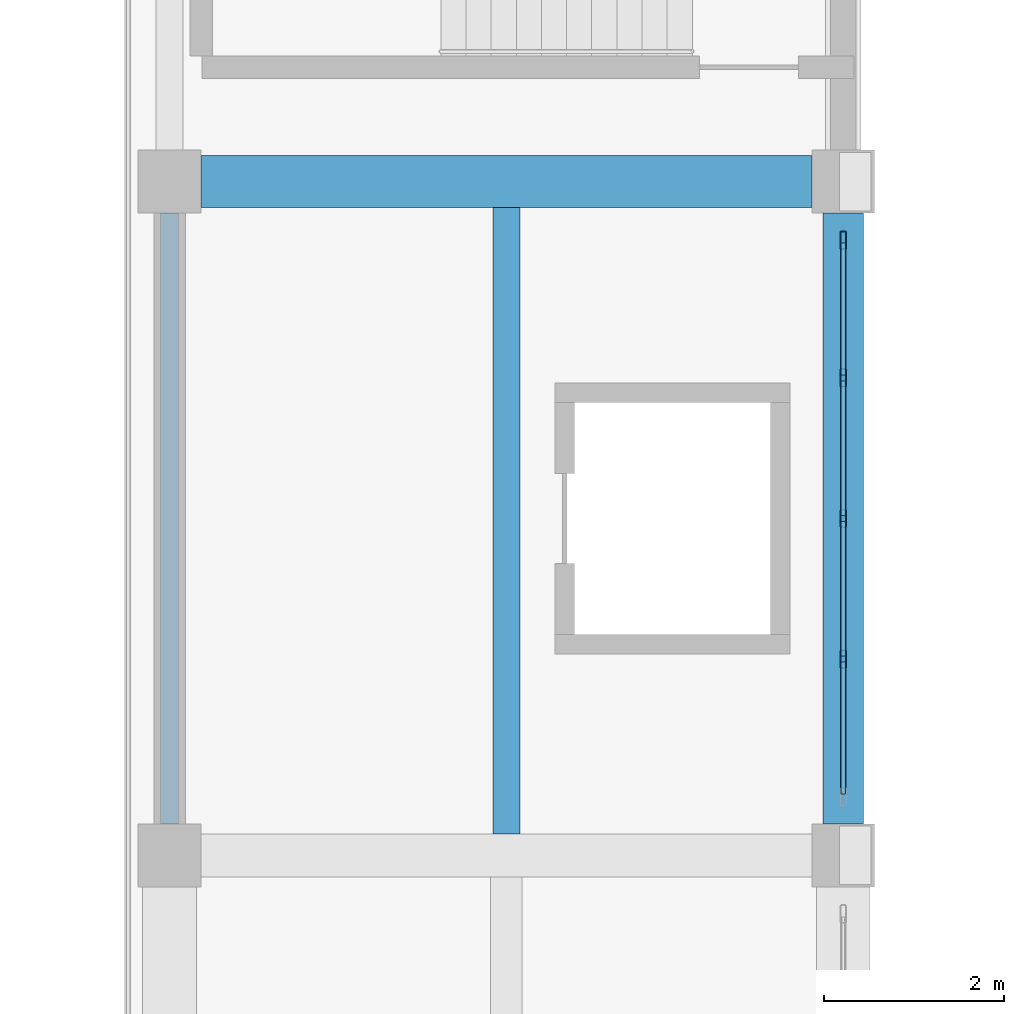
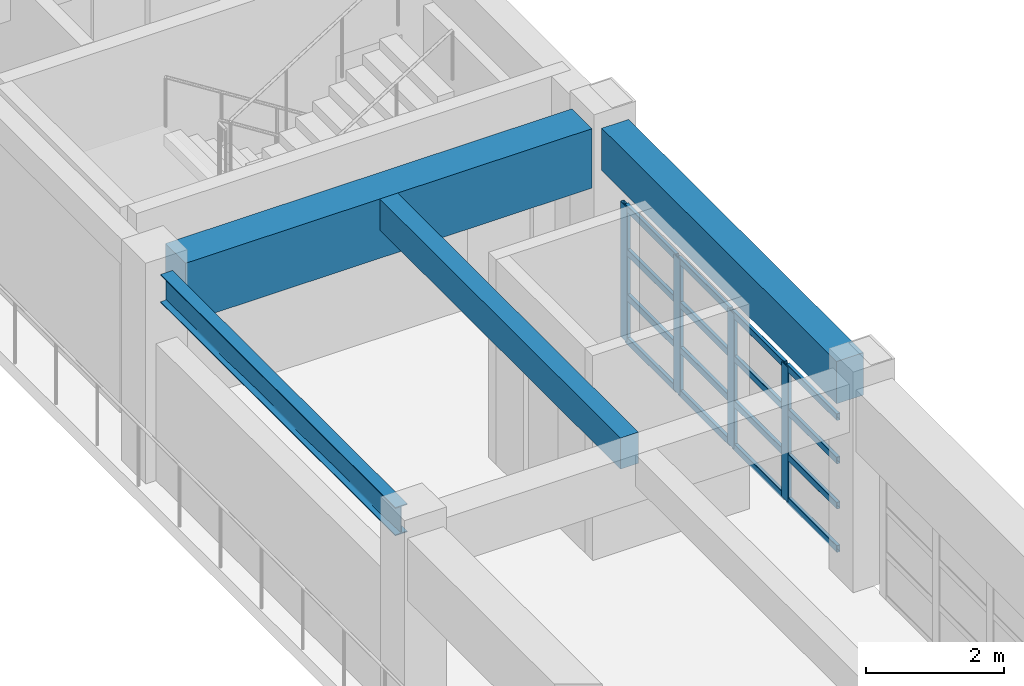
# One storey, part 33 of 82: 20 members, 4 beams, 1 element without a shape of its own.
"""IFC4 building model written with IfcOpenShell, lengths in metres."""

from ifc_helpers import new_model, si_unit, direction, frame, origin, origin_2d, place, context, subcontext, project, spatial, rectangle, hollow_rectangle, i_section, extrude, material, material_profile, profile_set, type_object, element, aggregate, save


model = new_model("IFC4")

# Units and contexts
model_context = context("Model", 3, precision=1e-05, world=origin(), true_north=direction((0.0, 1.0)))
body_context = subcontext(model_context, "Body", "Model", "MODEL_VIEW")
ifc_project = project(units=[si_unit("LENGTHUNIT", "METRE"), si_unit("AREAUNIT", "SQUARE_METRE"), si_unit("VOLUMEUNIT", "CUBIC_METRE"), si_unit("PLANEANGLEUNIT", "RADIAN"), si_unit("MASSUNIT", "GRAM", prefix="KILO")], contexts=[model_context])

# Site, building, storey
site_placement = place(None, origin())
site = spatial("IfcSite", under=ifc_project, at=site_placement, CompositionType="ELEMENT")
building_placement = place(site_placement, origin())
building = spatial("IfcBuilding", under=site, at=building_placement, Name="Qasida Concert Hall", CompositionType="ELEMENT")
storey_placement = place(building_placement, frame((0.0, 0.0, 17.10009765625)))
storey = spatial("IfcBuildingStorey", under=building, at=storey_placement, Name="L04", CompositionType="ELEMENT", Elevation=17.10009765625)

# Beams
ifc_material_1 = material(Name="Steel S355J2", Category="steel")
ifc_material_profile_1 = material_profile(ifc_material_1, i_section(OverallWidth=0.199951171875, OverallDepth=0.5, WebThickness=0.01025390625, FlangeThickness=0.01611328125, FilletRadius=0.02099609375, at=origin_2d()), Name="IPE 500")
ifc_profile_set_1 = profile_set([ifc_material_profile_1], Name="Steel S355J2")
beam_type_1 = type_object("IfcBeamType", Name="BM-B4", PredefinedType="BEAM", material=ifc_profile_set_1)
beam_1_placement = place(storey_placement, frame((97.5, 37.85009765625, 3.369873046875), z_axis=(0.0, 1.0, 0.0), x_axis=(-1.0, 0.0, 0.0)))
element("IfcBeam", 1, at=beam_1_placement, inside=storey, type_object=beam_type_1, Name="L04 girder 1857", PredefinedType="BEAM", context=body_context, shape_type="SweptSolid", body=[
    extrude(i_section(OverallWidth=0.199951171875, OverallDepth=0.5, WebThickness=0.01025390625, FlangeThickness=0.01611328125, FilletRadius=0.02099609375, at=origin_2d()), origin(), (0.0, 0.0, 1.0), 6.7998046875),
])
ifc_material_2 = material(Name="Concrete C50/60", Category="concrete")
ifc_material_profile_2 = material_profile(ifc_material_2, rectangle(XDim=0.580078125, YDim=1.050048828125, at=origin_2d()), Name="RC 580x1050")
ifc_profile_set_2 = profile_set([ifc_material_profile_2], Name="Concrete C50/60")
beam_type_2 = type_object("IfcBeamType", Name="BM-G8", PredefinedType="USERDEFINED", material=ifc_profile_set_2)
beam_2_placement = place(storey_placement, frame((97.85009765625, 45.0, 3.094970703125), z_axis=(1.0, 0.0, 0.0), x_axis=(0.0, 1.0, 0.0)))
element("IfcBeam", 2, at=beam_2_placement, inside=storey, type_object=beam_type_2, Name="Primary girder 1818", ObjectType="GIRDER", PredefinedType="USERDEFINED", context=body_context, shape_type="SweptSolid", body=[
    extrude(rectangle(XDim=0.580078125, YDim=1.050048828125, at=origin_2d()), origin(), (0.0, 0.0, 1.0), 6.7998046875),
])
ifc_material_3 = material(Name="Concrete C40/50", Category="concrete")
ifc_material_profile_3 = material_profile(ifc_material_3, rectangle(XDim=0.300048828125, YDim=0.550048828125, at=origin_2d()), Name="RC 300x550")
ifc_profile_set_3 = profile_set([ifc_material_profile_3], Name="Concrete C40/50")
beam_type_3 = type_object("IfcBeamType", Name="BM-J1", PredefinedType="JOIST", material=ifc_profile_set_3)
beam_3_placement = place(storey_placement, frame((101.25, 37.739990234375, 3.344970703125), z_axis=(0.0, 1.0, 0.0), x_axis=(-1.0, 0.0, 0.0)))
element("IfcBeam", 3, at=beam_3_placement, inside=storey, type_object=beam_type_3, Name="L04 secondary joist 1888", PredefinedType="JOIST", context=body_context, shape_type="SweptSolid", body=[
    extrude(rectangle(XDim=0.300048828125, YDim=0.550048828125, at=origin_2d()), origin(), (0.0, 0.0, 1.0), 6.969970703125),
])
ifc_material_profile_4 = material_profile(ifc_material_3, rectangle(XDim=0.449951171875, YDim=0.75, at=origin_2d()), Name="RC 450x750")
ifc_profile_set_4 = profile_set([ifc_material_profile_4], Name="Concrete C40/50")
beam_type_4 = type_object("IfcBeamType", Name="BM-SP4", PredefinedType="SPANDREL", material=ifc_profile_set_4)
beam_4_placement = place(storey_placement, frame((105.0, 37.85009765625, 3.244873046875), z_axis=(0.0, 1.0, 0.0), x_axis=(-1.0, 0.0, 0.0)))
element("IfcBeam", 4, at=beam_4_placement, inside=storey, type_object=beam_type_4, Name="L04 girder 1863", PredefinedType="SPANDREL", context=body_context, shape_type="SweptSolid", body=[
    extrude(rectangle(XDim=0.449951171875, YDim=0.75, at=origin_2d()), origin(), (0.0, 0.0, 1.0), 6.7998046875),
])

# Curtain wall, members
ifc_material_4 = material(Name="Architectural bronze-anodized aluminium and low-E glass", Category="aluminium")
curtain_wall_type = type_object("IfcCurtainWallType", Name="CW-11", PredefinedType="NOTDEFINED", material=ifc_material_4)
curtain_wall_placement = place(storey_placement, origin())
curtain_wall = element("IfcCurtainWall", 5, at=curtain_wall_placement, inside=storey, type_object=curtain_wall_type, Name="L04 curtain wall CW-11 0059", PredefinedType="NOTDEFINED")
ifc_material_5 = material(Name="Architectural bronze-anodized aluminium EN AW-6063", Category="aluminium")
ifc_material_profile_5 = material_profile(ifc_material_5, hollow_rectangle(XDim=0.06494140625, YDim=0.199951171875, WallThickness=0.0048828125, InnerFilletRadius=0.0048828125, OuterFilletRadius=0.010009765625, at=origin_2d()), Name="CWM 200x65x5")
ifc_profile_set_5 = profile_set([ifc_material_profile_5], Name="Architectural bronze-anodized aluminium EN AW-6063")
member_type_1 = type_object("IfcMemberType", Name="MB-CWM-2", PredefinedType="MULLION", material=ifc_profile_set_5)
member_1_placement = place(storey_placement, frame((105.0, 39.68505859375, 0.0), z_axis=(0.0, 0.0, 1.0), x_axis=(-1.0, 0.0, 0.0)))
member_1 = element("IfcMember", 6, at=member_1_placement, type_object=member_type_1, Name="CW-11 mullion 2", PredefinedType="MULLION", context=body_context, shape_type="SweptSolid", body=[
    extrude(hollow_rectangle(XDim=0.06494140625, YDim=0.199951171875, WallThickness=0.0048828125, InnerFilletRadius=0.0048828125, OuterFilletRadius=0.010009765625, at=origin_2d()), origin(), (0.0, 0.0, 1.0), 2.389892578125),
])
member_2_placement = place(storey_placement, frame((105.0, 41.25, 0.0), z_axis=(0.0, 0.0, 1.0), x_axis=(-1.0, 0.0, 0.0)))
member_2 = element("IfcMember", 7, at=member_2_placement, type_object=member_type_1, Name="CW-11 mullion 3", PredefinedType="MULLION", context=body_context, shape_type="SweptSolid", body=[
    extrude(hollow_rectangle(XDim=0.06494140625, YDim=0.199951171875, WallThickness=0.0048828125, InnerFilletRadius=0.0048828125, OuterFilletRadius=0.010009765625, at=origin_2d()), origin(), (0.0, 0.0, 1.0), 2.389892578125),
])
member_3_placement = place(storey_placement, frame((105.0, 42.81494140625, 0.0), z_axis=(0.0, 0.0, 1.0), x_axis=(-1.0, 0.0, 0.0)))
member_3 = element("IfcMember", 8, at=member_3_placement, type_object=member_type_1, Name="CW-11 mullion 4", PredefinedType="MULLION", context=body_context, shape_type="SweptSolid", body=[
    extrude(hollow_rectangle(XDim=0.06494140625, YDim=0.199951171875, WallThickness=0.0048828125, InnerFilletRadius=0.0048828125, OuterFilletRadius=0.010009765625, at=origin_2d()), origin(), (0.0, 0.0, 1.0), 2.389892578125),
])
member_4_placement = place(storey_placement, frame((105.0, 44.347412109375, 0.0), z_axis=(0.0, 0.0, 1.0), x_axis=(-1.0, 0.0, 0.0)))
member_4 = element("IfcMember", 9, at=member_4_placement, type_object=member_type_1, Name="CW-11 mullion 5", PredefinedType="MULLION", context=body_context, shape_type="SweptSolid", body=[
    extrude(hollow_rectangle(XDim=0.06494140625, YDim=0.199951171875, WallThickness=0.0048828125, InnerFilletRadius=0.0048828125, OuterFilletRadius=0.010009765625, at=origin_2d()), origin(), (0.0, 0.0, 1.0), 2.389892578125),
])
ifc_material_profile_6 = material_profile(ifc_material_5, hollow_rectangle(XDim=0.06005859375, YDim=0.1201171875, WallThickness=0.00390625, InnerFilletRadius=0.00390625, OuterFilletRadius=0.008056640625, at=origin_2d()), Name="CWT 120x60x4")
ifc_profile_set_6 = profile_set([ifc_material_profile_6], Name="Architectural bronze-anodized aluminium EN AW-6063")
member_type_2 = type_object("IfcMemberType", Name="MB-CWT-2", PredefinedType="USERDEFINED", material=ifc_profile_set_6)
member_5_placement = place(storey_placement, frame((105.0, 38.18505859375, 0.02978515625), z_axis=(0.0, 1.0, 0.0), x_axis=(-1.0, 0.0, 0.0)))
member_5 = element("IfcMember", 10, at=member_5_placement, type_object=member_type_2, Name="CW-11 transom 1.1", ObjectType="TRANSOM", PredefinedType="USERDEFINED", context=body_context, shape_type="SweptSolid", body=[
    extrude(hollow_rectangle(XDim=0.06005859375, YDim=0.1201171875, WallThickness=0.00390625, InnerFilletRadius=0.00390625, OuterFilletRadius=0.008056640625, at=origin_2d()), origin(), (0.0, 0.0, 1.0), 1.467529296875),
])
member_6_placement = place(storey_placement, frame((105.0, 38.18505859375, 0.796630859375), z_axis=(0.0, 1.0, 0.0), x_axis=(-1.0, 0.0, 0.0)))
member_6 = element("IfcMember", 11, at=member_6_placement, type_object=member_type_2, Name="CW-11 transom 1.2", ObjectType="TRANSOM", PredefinedType="USERDEFINED", context=body_context, shape_type="SweptSolid", body=[
    extrude(hollow_rectangle(XDim=0.06005859375, YDim=0.1201171875, WallThickness=0.00390625, InnerFilletRadius=0.00390625, OuterFilletRadius=0.008056640625, at=origin_2d()), origin(), (0.0, 0.0, 1.0), 1.467529296875),
])
member_7_placement = place(storey_placement, frame((105.0, 38.18505859375, 1.59326171875), z_axis=(0.0, 1.0, 0.0), x_axis=(-1.0, 0.0, 0.0)))
member_7 = element("IfcMember", 12, at=member_7_placement, type_object=member_type_2, Name="CW-11 transom 1.3", ObjectType="TRANSOM", PredefinedType="USERDEFINED", context=body_context, shape_type="SweptSolid", body=[
    extrude(hollow_rectangle(XDim=0.06005859375, YDim=0.1201171875, WallThickness=0.00390625, InnerFilletRadius=0.00390625, OuterFilletRadius=0.008056640625, at=origin_2d()), origin(), (0.0, 0.0, 1.0), 1.467529296875),
])
member_8_placement = place(storey_placement, frame((105.0, 38.18505859375, 2.35986328125), z_axis=(0.0, 1.0, 0.0), x_axis=(-1.0, 0.0, 0.0)))
member_8 = element("IfcMember", 13, at=member_8_placement, type_object=member_type_2, Name="CW-11 transom 1.4", ObjectType="TRANSOM", PredefinedType="USERDEFINED", context=body_context, shape_type="SweptSolid", body=[
    extrude(hollow_rectangle(XDim=0.06005859375, YDim=0.1201171875, WallThickness=0.00390625, InnerFilletRadius=0.00390625, OuterFilletRadius=0.008056640625, at=origin_2d()), origin(), (0.0, 0.0, 1.0), 1.467529296875),
])
member_9_placement = place(storey_placement, frame((105.0, 39.717529296875, 0.02978515625), z_axis=(0.0, 1.0, 0.0), x_axis=(-1.0, 0.0, 0.0)))
member_9 = element("IfcMember", 14, at=member_9_placement, type_object=member_type_2, Name="CW-11 transom 2.1", ObjectType="TRANSOM", PredefinedType="USERDEFINED", context=body_context, shape_type="SweptSolid", body=[
    extrude(hollow_rectangle(XDim=0.06005859375, YDim=0.1201171875, WallThickness=0.00390625, InnerFilletRadius=0.00390625, OuterFilletRadius=0.008056640625, at=origin_2d()), origin(), (0.0, 0.0, 1.0), 1.5),
])
member_10_placement = place(storey_placement, frame((105.0, 39.717529296875, 0.796630859375), z_axis=(0.0, 1.0, 0.0), x_axis=(-1.0, 0.0, 0.0)))
member_10 = element("IfcMember", 15, at=member_10_placement, type_object=member_type_2, Name="CW-11 transom 2.2", ObjectType="TRANSOM", PredefinedType="USERDEFINED", context=body_context, shape_type="SweptSolid", body=[
    extrude(hollow_rectangle(XDim=0.06005859375, YDim=0.1201171875, WallThickness=0.00390625, InnerFilletRadius=0.00390625, OuterFilletRadius=0.008056640625, at=origin_2d()), origin(), (0.0, 0.0, 1.0), 1.5),
])
member_11_placement = place(storey_placement, frame((105.0, 39.717529296875, 1.59326171875), z_axis=(0.0, 1.0, 0.0), x_axis=(-1.0, 0.0, 0.0)))
member_11 = element("IfcMember", 16, at=member_11_placement, type_object=member_type_2, Name="CW-11 transom 2.3", ObjectType="TRANSOM", PredefinedType="USERDEFINED", context=body_context, shape_type="SweptSolid", body=[
    extrude(hollow_rectangle(XDim=0.06005859375, YDim=0.1201171875, WallThickness=0.00390625, InnerFilletRadius=0.00390625, OuterFilletRadius=0.008056640625, at=origin_2d()), origin(), (0.0, 0.0, 1.0), 1.5),
])
member_12_placement = place(storey_placement, frame((105.0, 39.717529296875, 2.35986328125), z_axis=(0.0, 1.0, 0.0), x_axis=(-1.0, 0.0, 0.0)))
member_12 = element("IfcMember", 17, at=member_12_placement, type_object=member_type_2, Name="CW-11 transom 2.4", ObjectType="TRANSOM", PredefinedType="USERDEFINED", context=body_context, shape_type="SweptSolid", body=[
    extrude(hollow_rectangle(XDim=0.06005859375, YDim=0.1201171875, WallThickness=0.00390625, InnerFilletRadius=0.00390625, OuterFilletRadius=0.008056640625, at=origin_2d()), origin(), (0.0, 0.0, 1.0), 1.5),
])
member_13_placement = place(storey_placement, frame((105.0, 41.282470703125, 0.02978515625), z_axis=(0.0, 1.0, 0.0), x_axis=(-1.0, 0.0, 0.0)))
member_13 = element("IfcMember", 18, at=member_13_placement, type_object=member_type_2, Name="CW-11 transom 3.1", ObjectType="TRANSOM", PredefinedType="USERDEFINED", context=body_context, shape_type="SweptSolid", body=[
    extrude(hollow_rectangle(XDim=0.06005859375, YDim=0.1201171875, WallThickness=0.00390625, InnerFilletRadius=0.00390625, OuterFilletRadius=0.008056640625, at=origin_2d()), origin(), (0.0, 0.0, 1.0), 1.5),
])
member_14_placement = place(storey_placement, frame((105.0, 41.282470703125, 0.796630859375), z_axis=(0.0, 1.0, 0.0), x_axis=(-1.0, 0.0, 0.0)))
member_14 = element("IfcMember", 19, at=member_14_placement, type_object=member_type_2, Name="CW-11 transom 3.2", ObjectType="TRANSOM", PredefinedType="USERDEFINED", context=body_context, shape_type="SweptSolid", body=[
    extrude(hollow_rectangle(XDim=0.06005859375, YDim=0.1201171875, WallThickness=0.00390625, InnerFilletRadius=0.00390625, OuterFilletRadius=0.008056640625, at=origin_2d()), origin(), (0.0, 0.0, 1.0), 1.5),
])
member_15_placement = place(storey_placement, frame((105.0, 41.282470703125, 1.59326171875), z_axis=(0.0, 1.0, 0.0), x_axis=(-1.0, 0.0, 0.0)))
member_15 = element("IfcMember", 20, at=member_15_placement, type_object=member_type_2, Name="CW-11 transom 3.3", ObjectType="TRANSOM", PredefinedType="USERDEFINED", context=body_context, shape_type="SweptSolid", body=[
    extrude(hollow_rectangle(XDim=0.06005859375, YDim=0.1201171875, WallThickness=0.00390625, InnerFilletRadius=0.00390625, OuterFilletRadius=0.008056640625, at=origin_2d()), origin(), (0.0, 0.0, 1.0), 1.5),
])
member_16_placement = place(storey_placement, frame((105.0, 41.282470703125, 2.35986328125), z_axis=(0.0, 1.0, 0.0), x_axis=(-1.0, 0.0, 0.0)))
member_16 = element("IfcMember", 21, at=member_16_placement, type_object=member_type_2, Name="CW-11 transom 3.4", ObjectType="TRANSOM", PredefinedType="USERDEFINED", context=body_context, shape_type="SweptSolid", body=[
    extrude(hollow_rectangle(XDim=0.06005859375, YDim=0.1201171875, WallThickness=0.00390625, InnerFilletRadius=0.00390625, OuterFilletRadius=0.008056640625, at=origin_2d()), origin(), (0.0, 0.0, 1.0), 1.5),
])
member_17_placement = place(storey_placement, frame((105.0, 42.847412109375, 0.02978515625), z_axis=(0.0, 1.0, 0.0), x_axis=(-1.0, 0.0, 0.0)))
member_17 = element("IfcMember", 22, at=member_17_placement, type_object=member_type_2, Name="CW-11 transom 4.1", ObjectType="TRANSOM", PredefinedType="USERDEFINED", context=body_context, shape_type="SweptSolid", body=[
    extrude(hollow_rectangle(XDim=0.06005859375, YDim=0.1201171875, WallThickness=0.00390625, InnerFilletRadius=0.00390625, OuterFilletRadius=0.008056640625, at=origin_2d()), origin(), (0.0, 0.0, 1.0), 1.467529296875),
])
member_18_placement = place(storey_placement, frame((105.0, 42.847412109375, 0.796630859375), z_axis=(0.0, 1.0, 0.0), x_axis=(-1.0, 0.0, 0.0)))
member_18 = element("IfcMember", 23, at=member_18_placement, type_object=member_type_2, Name="CW-11 transom 4.2", ObjectType="TRANSOM", PredefinedType="USERDEFINED", context=body_context, shape_type="SweptSolid", body=[
    extrude(hollow_rectangle(XDim=0.06005859375, YDim=0.1201171875, WallThickness=0.00390625, InnerFilletRadius=0.00390625, OuterFilletRadius=0.008056640625, at=origin_2d()), origin(), (0.0, 0.0, 1.0), 1.467529296875),
])
member_19_placement = place(storey_placement, frame((105.0, 42.847412109375, 1.59326171875), z_axis=(0.0, 1.0, 0.0), x_axis=(-1.0, 0.0, 0.0)))
member_19 = element("IfcMember", 24, at=member_19_placement, type_object=member_type_2, Name="CW-11 transom 4.3", ObjectType="TRANSOM", PredefinedType="USERDEFINED", context=body_context, shape_type="SweptSolid", body=[
    extrude(hollow_rectangle(XDim=0.06005859375, YDim=0.1201171875, WallThickness=0.00390625, InnerFilletRadius=0.00390625, OuterFilletRadius=0.008056640625, at=origin_2d()), origin(), (0.0, 0.0, 1.0), 1.467529296875),
])
member_20_placement = place(storey_placement, frame((105.0, 42.847412109375, 2.35986328125), z_axis=(0.0, 1.0, 0.0), x_axis=(-1.0, 0.0, 0.0)))
member_20 = element("IfcMember", 25, at=member_20_placement, type_object=member_type_2, Name="CW-11 transom 4.4", ObjectType="TRANSOM", PredefinedType="USERDEFINED", context=body_context, shape_type="SweptSolid", body=[
    extrude(hollow_rectangle(XDim=0.06005859375, YDim=0.1201171875, WallThickness=0.00390625, InnerFilletRadius=0.00390625, OuterFilletRadius=0.008056640625, at=origin_2d()), origin(), (0.0, 0.0, 1.0), 1.467529296875),
])
aggregate(curtain_wall, [member_1, member_2, member_3, member_4, member_5, member_6, member_7, member_8, member_9, member_10, member_11, member_12, member_13, member_14, member_15, member_16, member_17, member_18, member_19, member_20])

save(model, "model.ifc")
